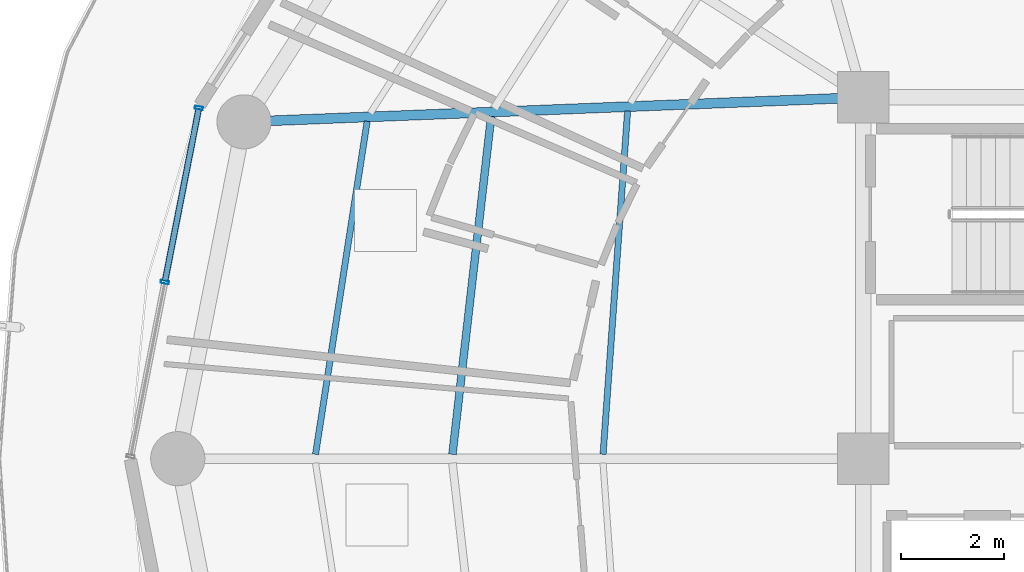
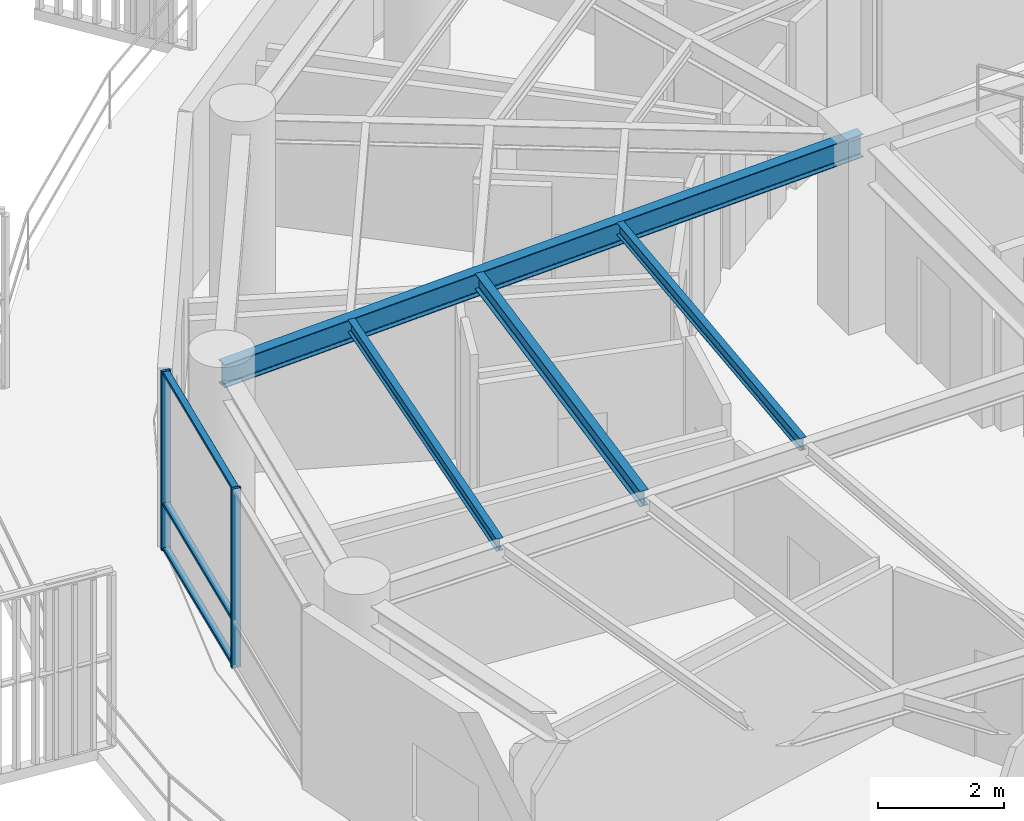
# One storey, part 8 of 31: 5 members, 4 beams, 1 element without a shape of its own.
"""IFC4 building model written with IfcOpenShell, lengths in metres."""

from ifc_helpers import new_model, si_unit, direction, frame, origin, origin_2d, place, context, subcontext, project, spatial, hollow_rectangle, i_section, extrude, material, layer, layer_set, material_profile, profile_set, type_object, element, aggregate, save


model = new_model("IFC4")

# Units and contexts
model_context = context("Model", 3, precision=1e-05, world=origin(), true_north=direction((0.0, 1.0)))
body_context = subcontext(model_context, "Body", "Model", "MODEL_VIEW")
ifc_project = project(units=[si_unit("LENGTHUNIT", "METRE"), si_unit("AREAUNIT", "SQUARE_METRE"), si_unit("VOLUMEUNIT", "CUBIC_METRE"), si_unit("PLANEANGLEUNIT", "RADIAN"), si_unit("MASSUNIT", "GRAM", prefix="KILO")], contexts=[model_context])

# Site, building, storey
site_placement = place(None, origin())
site = spatial("IfcSite", under=ifc_project, at=site_placement, CompositionType="ELEMENT")
building_placement = place(site_placement, origin())
building = spatial("IfcBuilding", under=site, at=building_placement, Name="Kelanora Arch Commons", CompositionType="ELEMENT")
storey_placement = place(building_placement, frame((0.0, 0.0, 223.199951171875)))
storey = spatial("IfcBuildingStorey", under=building, at=storey_placement, Name="L57", CompositionType="ELEMENT", Elevation=223.199951171875)

# Beams
ifc_material_1 = material(Name="Steel S355", Category="steel")
ifc_material_profile_1 = material_profile(ifc_material_1, i_section(OverallWidth=0.14990234375, OverallDepth=0.300048828125, WebThickness=0.007080078125, FlangeThickness=0.0107421875, FilletRadius=0.014892578125, at=origin_2d()), Name="IPE300")
ifc_profile_set_1 = profile_set([ifc_material_profile_1], Name="Steel S355")
beam_type_1 = type_object("IfcBeamType", Name="BM-JST-01", PredefinedType="JOIST", material=ifc_profile_set_1)
beam_1_placement = place(storey_placement, frame((58.792236328125, 64.631103515625, 3.340087890625), z_axis=(-0.113891408177, -0.993493204377, 0.0), x_axis=(0.993493204377, -0.113891408177, 0.0)))
element("IfcBeam", 1, at=beam_1_placement, inside=storey, type_object=beam_type_1, Name="Secondary Chord Joist BJB-16 L57", PredefinedType="JOIST", context=body_context, shape_type="SweptSolid", body=[
    extrude(i_section(OverallWidth=0.14990234375, OverallDepth=0.300048828125, WebThickness=0.007080078125, FlangeThickness=0.0107421875, FilletRadius=0.014892578125, at=origin_2d()), origin(), (0.0, 0.0, 1.0), 6.589599609375),
])
ifc_material_profile_2 = material_profile(ifc_material_1, i_section(OverallWidth=0.1201171875, OverallDepth=0.239990234375, WebThickness=0.006103515625, FlangeThickness=0.009765625, FilletRadius=0.014892578125, at=origin_2d()), Name="IPE240")
ifc_profile_set_2 = profile_set([ifc_material_profile_2], Name="Steel S355")
beam_type_2 = type_object("IfcBeamType", Name="BM-JST-02", PredefinedType="JOIST", material=ifc_profile_set_2)
beam_2_placement = place(storey_placement, frame((61.435302734375, 64.735107421875, 3.3701171875), z_axis=(-0.07133032136, -0.997452748382, 0.0), x_axis=(0.997452748382, -0.07133032136, 0.0)))
element("IfcBeam", 2, at=beam_2_placement, inside=storey, type_object=beam_type_2, Name="Secondary Chord Joist BJA-16 L57", PredefinedType="JOIST", context=body_context, shape_type="SweptSolid", body=[
    extrude(i_section(OverallWidth=0.1201171875, OverallDepth=0.239990234375, WebThickness=0.006103515625, FlangeThickness=0.009765625, FilletRadius=0.014892578125, at=origin_2d()), origin(), (0.0, 0.0, 1.0), 6.66748046875),
])
beam_3_placement = place(storey_placement, frame((56.3896484375, 64.53662109375, 3.3701171875), z_axis=(-0.153256756152, -0.988186402808, 0.0), x_axis=(0.988186402808, -0.153256756152, 0.0)))
element("IfcBeam", 3, at=beam_3_placement, inside=storey, type_object=beam_type_2, Name="Secondary Chord Joist BJC-16 L57", PredefinedType="JOIST", context=body_context, shape_type="SweptSolid", body=[
    extrude(i_section(OverallWidth=0.1201171875, OverallDepth=0.239990234375, WebThickness=0.006103515625, FlangeThickness=0.009765625, FilletRadius=0.014892578125, at=origin_2d()), origin(), (0.0, 0.0, 1.0), 6.52978515625),
])
ifc_material_profile_3 = material_profile(ifc_material_1, i_section(OverallWidth=0.18994140625, OverallDepth=0.449951171875, WebThickness=0.009521484375, FlangeThickness=0.0146484375, FilletRadius=0.02099609375, at=origin_2d()), Name="IPE450")
ifc_profile_set_3 = profile_set([ifc_material_profile_3], Name="Steel S355")
beam_type_3 = type_object("IfcBeamType", Name="BM-RAD-Z4", PredefinedType="BEAM", material=ifc_profile_set_3)
beam_4_placement = place(storey_placement, frame((66.0, 65.0, 3.26513671875), z_axis=(-0.999219142585, -0.03951082246, 0.0), x_axis=(0.03951082246, -0.999219142585, 0.0)))
element("IfcBeam", 4, at=beam_4_placement, inside=storey, type_object=beam_type_3, Name="Radial Floor Girder BR-16 L57", PredefinedType="BEAM", context=body_context, shape_type="SweptSolid", body=[
    extrude(i_section(OverallWidth=0.18994140625, OverallDepth=0.449951171875, WebThickness=0.009521484375, FlangeThickness=0.0146484375, FilletRadius=0.02099609375, at=origin_2d()), origin(), (0.0, 0.0, 1.0), 12.005859375),
])

# Curtain wall, members
ifc_material_2 = material(Name="Terracotta ceramic-fritted low-E glass and aluminium", Category="masonry")
ifc_layer = layer(ifc_material_2, 0.175048828125)
ifc_layer_set = layer_set([ifc_layer], Name="Terracotta ceramic-fritted low-E glass and aluminium")
curtain_wall_type = type_object("IfcCurtainWallType", Name="CW-SYS-02", PredefinedType="NOTDEFINED", material=ifc_layer_set)
curtain_wall_placement = place(storey_placement, origin())
curtain_wall = element("IfcCurtainWall", 5, at=curtain_wall_placement, inside=storey, type_object=curtain_wall_type, Name="Unitised Curtain Wall L57-B08", PredefinedType="NOTDEFINED")
ifc_material_3 = material(Name="Powder-coated aluminium terracotta", Category="masonry")
ifc_material_profile_4 = material_profile(ifc_material_3, hollow_rectangle(XDim=0.159912109375, YDim=0.06005859375, WallThickness=0.0048828125, InnerFilletRadius=0.0048828125, OuterFilletRadius=0.010009765625, at=origin_2d()), Name="CWM160x60")
ifc_profile_set_4 = profile_set([ifc_material_profile_4], Name="Powder-coated aluminium terracotta")
member_type_1 = type_object("IfcMemberType", Name="CWM-STD", PredefinedType="MULLION", material=ifc_profile_set_4)
member_1_placement = place(storey_placement, frame((53.130126953125, 64.796142578125, 0.0), z_axis=(0.0, 0.0, 1.0), x_axis=(0.981381438349, -0.192068926335, 0.0)))
member_1 = element("IfcMember", 6, at=member_1_placement, type_object=member_type_1, Name="CW-02 mullion 1", PredefinedType="MULLION", context=body_context, shape_type="SweptSolid", body=[
    extrude(hollow_rectangle(XDim=0.159912109375, YDim=0.06005859375, WallThickness=0.0048828125, InnerFilletRadius=0.0048828125, OuterFilletRadius=0.010009765625, at=origin_2d()), origin(), (0.0, 0.0, 1.0), 3.47509765625),
])
member_2_placement = place(storey_placement, frame((52.469482421875, 61.420166015625, 0.0), z_axis=(0.0, 0.0, 1.0), x_axis=(0.981381438349, -0.192068926335, 0.0)))
member_2 = element("IfcMember", 7, at=member_2_placement, type_object=member_type_1, Name="CW-02 mullion 2", PredefinedType="MULLION", context=body_context, shape_type="SweptSolid", body=[
    extrude(hollow_rectangle(XDim=0.159912109375, YDim=0.06005859375, WallThickness=0.0048828125, InnerFilletRadius=0.0048828125, OuterFilletRadius=0.010009765625, at=origin_2d()), origin(), (0.0, 0.0, 1.0), 3.47509765625),
])
ifc_material_profile_5 = material_profile(ifc_material_3, hollow_rectangle(XDim=0.1201171875, YDim=0.06005859375, WallThickness=0.0048828125, InnerFilletRadius=0.0048828125, OuterFilletRadius=0.010009765625, at=origin_2d()), Name="CWT120x60")
ifc_profile_set_5 = profile_set([ifc_material_profile_5], Name="Powder-coated aluminium terracotta")
member_type_2 = type_object("IfcMemberType", Name="CWT-STD", PredefinedType="USERDEFINED", material=ifc_profile_set_5)
member_3_placement = place(storey_placement, frame((53.124267578125, 64.766845703125, 0.030029296875), z_axis=(-0.192058488005, -0.981383481207, 0.0), x_axis=(0.981383481207, -0.192058488005, 0.0)))
member_3 = element("IfcMember", 8, at=member_3_placement, type_object=member_type_2, Name="CW-02 transom 1.1", ObjectType="TRANSOM", PredefinedType="USERDEFINED", context=body_context, shape_type="SweptSolid", body=[
    extrude(hollow_rectangle(XDim=0.1201171875, YDim=0.06005859375, WallThickness=0.0048828125, InnerFilletRadius=0.0048828125, OuterFilletRadius=0.010009765625, at=origin_2d()), origin(), (0.0, 0.0, 1.0), 3.380126953125),
])
member_4_placement = place(storey_placement, frame((53.124267578125, 64.766845703125, 0.900146484375), z_axis=(-0.192058488005, -0.981383481207, 0.0), x_axis=(0.981383481207, -0.192058488005, 0.0)))
member_4 = element("IfcMember", 9, at=member_4_placement, type_object=member_type_2, Name="CW-02 transom 1.2", ObjectType="TRANSOM", PredefinedType="USERDEFINED", context=body_context, shape_type="SweptSolid", body=[
    extrude(hollow_rectangle(XDim=0.1201171875, YDim=0.06005859375, WallThickness=0.0048828125, InnerFilletRadius=0.0048828125, OuterFilletRadius=0.010009765625, at=origin_2d()), origin(), (0.0, 0.0, 1.0), 3.380126953125),
])
member_5_placement = place(storey_placement, frame((53.124267578125, 64.766845703125, 3.445068359375), z_axis=(-0.192058488005, -0.981383481207, 0.0), x_axis=(0.981383481207, -0.192058488005, 0.0)))
member_5 = element("IfcMember", 10, at=member_5_placement, type_object=member_type_2, Name="CW-02 transom 1.3", ObjectType="TRANSOM", PredefinedType="USERDEFINED", context=body_context, shape_type="SweptSolid", body=[
    extrude(hollow_rectangle(XDim=0.1201171875, YDim=0.06005859375, WallThickness=0.0048828125, InnerFilletRadius=0.0048828125, OuterFilletRadius=0.010009765625, at=origin_2d()), origin(), (0.0, 0.0, 1.0), 3.380126953125),
])
aggregate(curtain_wall, [member_1, member_2, member_3, member_4, member_5])

save(model, "model.ifc")
